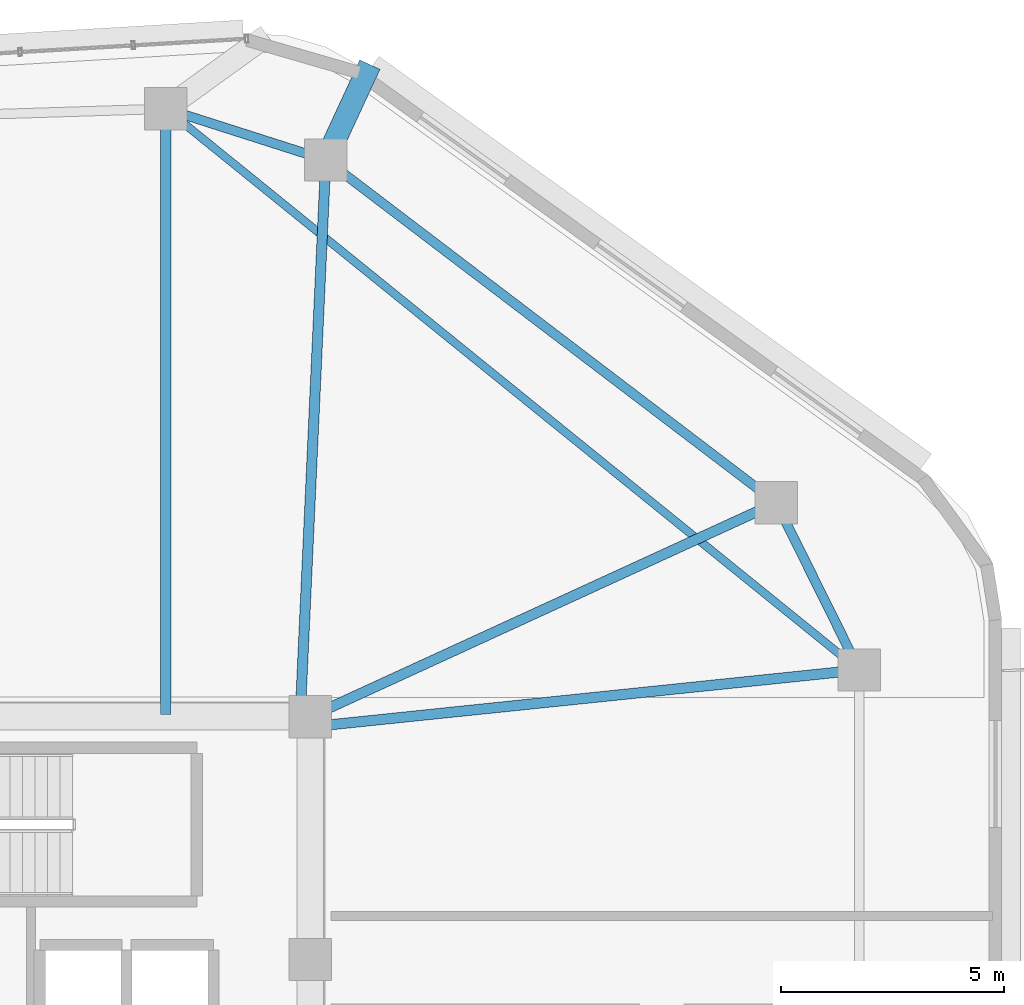
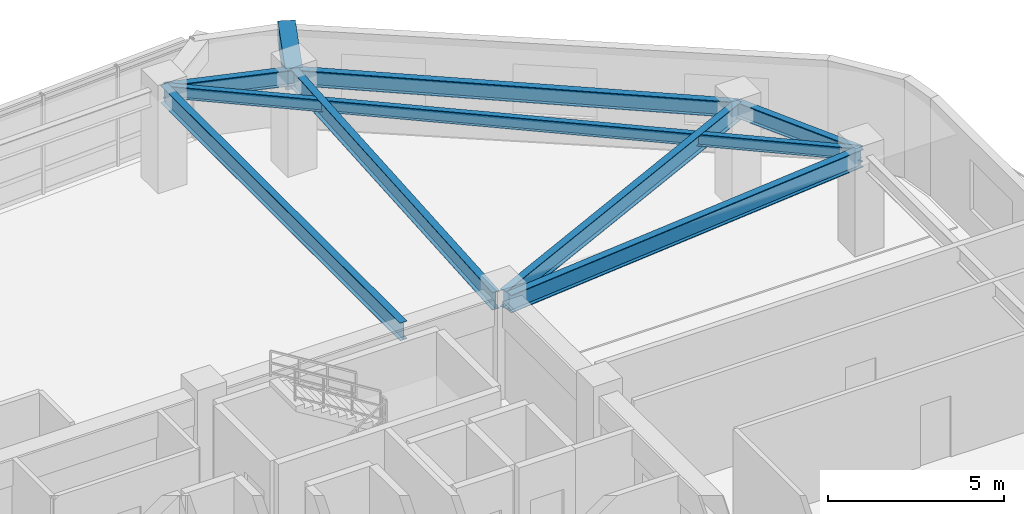
# One storey, part 5 of 14: 9 beams.
"""IFC4 building model written with IfcOpenShell, lengths in metres."""

from ifc_helpers import new_model, si_unit, direction, frame, origin, origin_2d, place, context, subcontext, project, spatial, rectangle, i_section, extrude, material, material_profile, profile_set, type_object, element, save


model = new_model("IFC4")

# Units and contexts
model_context = context("Model", 3, precision=1e-05, world=origin(), true_north=direction((0.0, 1.0)))
body_context = subcontext(model_context, "Body", "Model", "MODEL_VIEW")
ifc_project = project(units=[si_unit("LENGTHUNIT", "METRE"), si_unit("AREAUNIT", "SQUARE_METRE"), si_unit("VOLUMEUNIT", "CUBIC_METRE"), si_unit("PLANEANGLEUNIT", "RADIAN"), si_unit("MASSUNIT", "GRAM", prefix="KILO")], contexts=[model_context])

# Site, building, storey
site_placement = place(None, origin())
site = spatial("IfcSite", under=ifc_project, at=site_placement, CompositionType="ELEMENT")
building_placement = place(site_placement, origin())
building = spatial("IfcBuilding", under=site, at=building_placement, Name="Zulverin Broadcast Headquarters", CompositionType="ELEMENT")
storey_placement = place(building_placement, frame((0.0, 0.0, 216.199951171875)))
storey = spatial("IfcBuildingStorey", under=building, at=storey_placement, Name="L55", CompositionType="ELEMENT", Elevation=216.199951171875)

# Beams
ifc_material_1 = material(Name="Concrete C40/50", Category="concrete")
ifc_material_profile_1 = material_profile(ifc_material_1, rectangle(XDim=0.5, YDim=0.75, at=origin_2d()), Name="Concrete C40/50", Category="concrete")
ifc_profile_set_1 = profile_set([ifc_material_profile_1], Name="Concrete C40/50")
beam_type_1 = type_object("IfcBeamType", Name="BM-RC-500x750", PredefinedType="BEAM", material=ifc_profile_set_1)
beam_1_placement = place(storey_placement, frame((48.62158203125, 45.574951171875, 3.025146484375), z_axis=(0.420423587439, 0.907327949049, 0.0), x_axis=(-0.907327949049, 0.420423587439, 0.0)))
element("IfcBeam", 1, at=beam_1_placement, inside=storey, type_object=beam_type_1, Name="L56 Plate Overhang Back-Spanned Beam OVR-08", PredefinedType="BEAM", context=body_context, shape_type="SweptSolid", body=[
    extrude(rectangle(XDim=0.5, YDim=0.75, at=origin_2d()), origin(), (0.0, 0.0, 1.0), 2.357666015625),
])
ifc_material_2 = material(Name="Structural steel S355JR", Category="steel")
ifc_material_profile_2 = material_profile(ifc_material_2, i_section(OverallWidth=0.179443359375, OverallDepth=0.412841796875, WebThickness=0.009521484375, FlangeThickness=0.01611328125, at=origin_2d()), Name="Structural steel S355JR", Category="steel")
ifc_profile_set_2 = profile_set([ifc_material_profile_2], Name="Structural steel S355JR")
beam_type_2 = type_object("IfcBeamType", Name="BM-UB-406", PredefinedType="JOIST", material=ifc_profile_set_2)
beam_2_placement = place(storey_placement, frame((60.60009765625, 34.12158203125, 3.193603515625), z_axis=(-0.777349017335, 0.629069555175, 0.0), x_axis=(-0.629069555175, -0.777349017335, 0.0)))
element("IfcBeam", 2, at=beam_2_placement, inside=storey, type_object=beam_type_2, Name="L55 Chordal Floor Joist J-02", PredefinedType="JOIST", context=body_context, shape_type="SweptSolid", body=[
    extrude(i_section(OverallWidth=0.179443359375, OverallDepth=0.412841796875, WebThickness=0.009521484375, FlangeThickness=0.01611328125, at=origin_2d()), origin(), (0.0, 0.0, 1.0), 20.032958984375),
])
ifc_material_profile_3 = material_profile(ifc_material_2, i_section(OverallWidth=0.2119140625, OverallDepth=0.54443359375, WebThickness=0.0126953125, FlangeThickness=0.021240234375, at=origin_2d()), Name="Structural steel S355JR", Category="steel")
ifc_profile_set_3 = profile_set([ifc_material_profile_3], Name="Structural steel S355JR")
beam_type_3 = type_object("IfcBeamType", Name="BM-UB-533", PredefinedType="SPANDREL", material=ifc_profile_set_3)
beam_3_placement = place(storey_placement, frame((60.60009765625, 34.12158203125, 3.127685546875), z_axis=(-0.444159471033, 0.895947746407, 0.0), x_axis=(-0.895947746407, -0.444159471033, 0.0)))
element("IfcBeam", 3, at=beam_3_placement, inside=storey, type_object=beam_type_3, Name="L55 Perimeter Spandrel Beam SP-06", PredefinedType="SPANDREL", context=body_context, shape_type="SweptSolid", body=[
    extrude(i_section(OverallWidth=0.2119140625, OverallDepth=0.54443359375, WebThickness=0.0126953125, FlangeThickness=0.021240234375, at=origin_2d()), origin(), (0.0, 0.0, 1.0), 4.1923828125),
])
beam_4_placement = place(storey_placement, frame((58.738037109375, 37.877685546875, 3.127685546875), z_axis=(-0.795830102505, 0.60551998146, 0.0), x_axis=(-0.60551998146, -0.795830102505, 0.0)))
element("IfcBeam", 4, at=beam_4_placement, inside=storey, type_object=beam_type_3, Name="L55 Perimeter Spandrel Beam SP-07", PredefinedType="SPANDREL", context=body_context, shape_type="SweptSolid", body=[
    extrude(i_section(OverallWidth=0.2119140625, OverallDepth=0.54443359375, WebThickness=0.0126953125, FlangeThickness=0.021240234375, at=origin_2d()), origin(), (0.0, 0.0, 1.0), 12.7119140625),
])
beam_5_placement = place(storey_placement, frame((48.62158203125, 45.574951171875, 3.127685546875), z_axis=(-0.952531523781, 0.304439971428, 0.0), x_axis=(-0.304439971428, -0.952531523781, 0.0)))
element("IfcBeam", 5, at=beam_5_placement, inside=storey, type_object=beam_type_3, Name="L55 Perimeter Spandrel Beam SP-08", PredefinedType="SPANDREL", context=body_context, shape_type="SweptSolid", body=[
    extrude(i_section(OverallWidth=0.2119140625, OverallDepth=0.54443359375, WebThickness=0.0126953125, FlangeThickness=0.021240234375, at=origin_2d()), origin(), (0.0, 0.0, 1.0), 3.773193359375),
])
ifc_material_profile_4 = material_profile(ifc_material_2, i_section(OverallWidth=0.230224609375, OverallDepth=0.6171875, WebThickness=0.01318359375, FlangeThickness=0.022216796875, at=origin_2d()), Name="Structural steel S355JR", Category="steel")
ifc_profile_set_4 = profile_set([ifc_material_profile_4], Name="Structural steel S355JR")
beam_type_4 = type_object("IfcBeamType", Name="BM-UB-610", PredefinedType="BEAM", material=ifc_profile_set_4)
beam_6_placement = place(storey_placement, frame((48.324951171875, 32.85009765625, 3.091552734375), z_axis=(0.994678169641, 0.103030766473, 0.0), x_axis=(-0.103030766473, 0.994678169641, 0.0)))
element("IfcBeam", 6, at=beam_6_placement, inside=storey, type_object=beam_type_4, Name="L55 Radial Primary Floor Beam RB-06", PredefinedType="BEAM", context=body_context, shape_type="SweptSolid", body=[
    extrude(i_section(OverallWidth=0.230224609375, OverallDepth=0.6171875, WebThickness=0.01318359375, FlangeThickness=0.022216796875, at=origin_2d()), origin(), (0.0, 0.0, 1.0), 12.3408203125),
])
beam_7_placement = place(storey_placement, frame((48.27490234375, 33.074951171875, 3.091552734375), z_axis=(0.90883007293, 0.417166511764, 0.0), x_axis=(-0.417166511764, 0.90883007293, 0.0)))
element("IfcBeam", 7, at=beam_7_placement, inside=storey, type_object=beam_type_4, Name="L55 Radial Primary Floor Beam RB-07", PredefinedType="BEAM", context=body_context, shape_type="SweptSolid", body=[
    extrude(i_section(OverallWidth=0.230224609375, OverallDepth=0.6171875, WebThickness=0.01318359375, FlangeThickness=0.022216796875, at=origin_2d()), origin(), (0.0, 0.0, 1.0), 11.5126953125),
])
beam_8_placement = place(storey_placement, frame((48.050048828125, 33.125, 3.091552734375), z_axis=(0.045858166026, 0.998947960911, 0.0), x_axis=(-0.998947960911, 0.045858166026, 0.0)))
element("IfcBeam", 8, at=beam_8_placement, inside=storey, type_object=beam_type_4, Name="L55 Radial Primary Floor Beam RB-08", PredefinedType="BEAM", context=body_context, shape_type="SweptSolid", body=[
    extrude(i_section(OverallWidth=0.230224609375, OverallDepth=0.6171875, WebThickness=0.01318359375, FlangeThickness=0.022216796875, at=origin_2d()), origin(), (0.0, 0.0, 1.0), 12.463134765625),
])
beam_9_placement = place(storey_placement, frame((45.027587890625, 33.125, 3.091552734375), z_axis=(0.0, 1.0, 0.0), x_axis=(-1.0, 0.0, 0.0)))
element("IfcBeam", 9, at=beam_9_placement, inside=storey, type_object=beam_type_4, Name="L55 Radial Primary Floor Beam RB-09", PredefinedType="BEAM", context=body_context, shape_type="SweptSolid", body=[
    extrude(i_section(OverallWidth=0.230224609375, OverallDepth=0.6171875, WebThickness=0.01318359375, FlangeThickness=0.022216796875, at=origin_2d()), origin(), (0.0, 0.0, 1.0), 13.5986328125),
])

save(model, "model.ifc")
